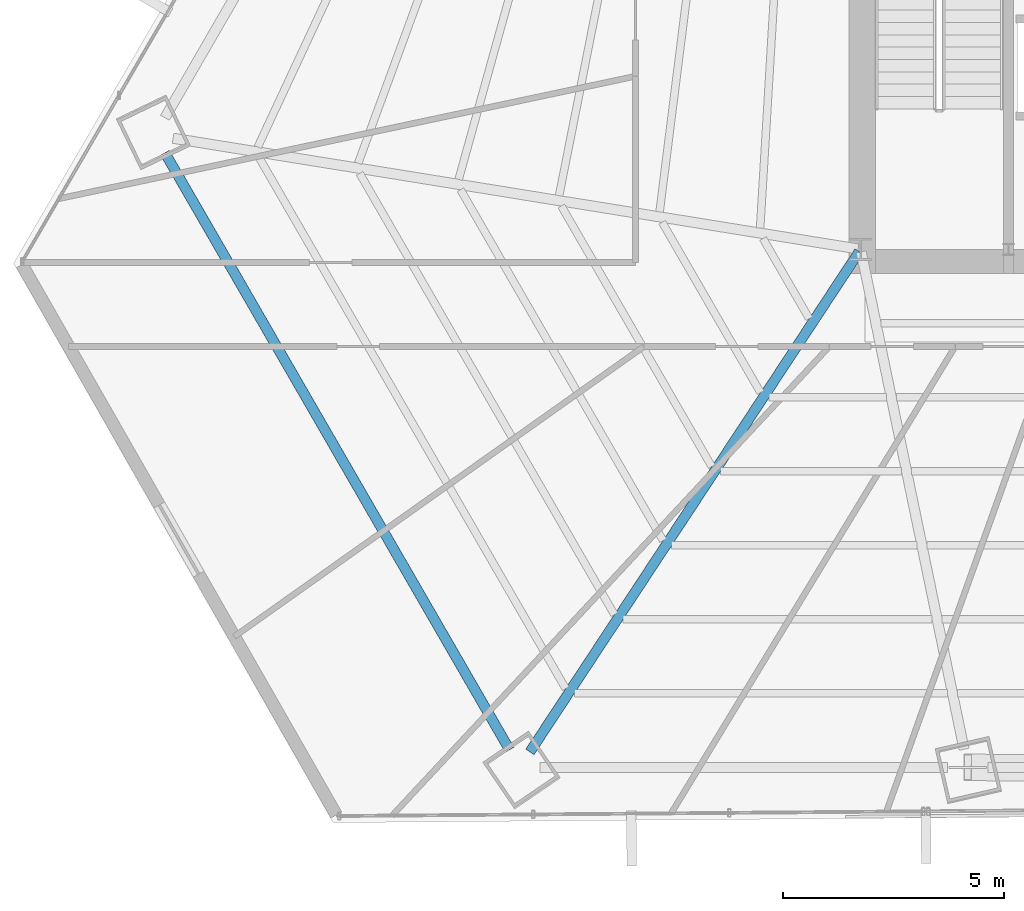
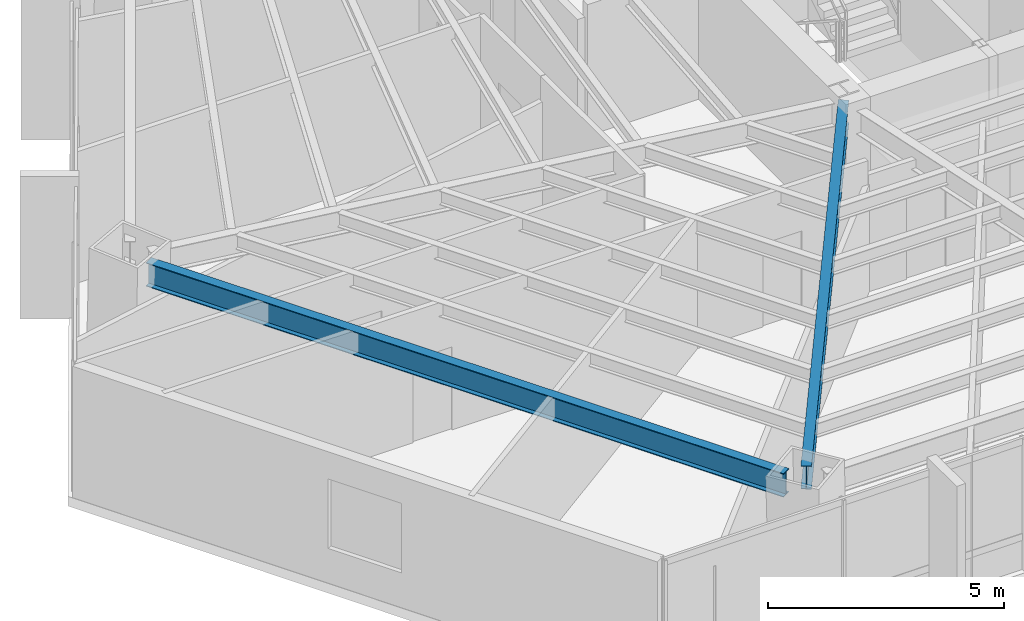
# One storey, part 5 of 38: 2 beams.
"""IFC4 building model written with IfcOpenShell, lengths in metres."""

from ifc_helpers import new_model, si_unit, direction, frame, origin, origin_2d, place, context, subcontext, project, spatial, i_section, extrude, source, transform, mapped, material, material_profile, profile_set, type_object, type_shapes, element, save


model = new_model("IFC4")

# Units and contexts
model_context = context("Model", 3, precision=1e-05, world=origin(), true_north=direction((0.0, 1.0)))
body_context = subcontext(model_context, "Body", "Model", "MODEL_VIEW")
ifc_project = project(units=[si_unit("LENGTHUNIT", "METRE"), si_unit("AREAUNIT", "SQUARE_METRE"), si_unit("VOLUMEUNIT", "CUBIC_METRE"), si_unit("PLANEANGLEUNIT", "RADIAN"), si_unit("MASSUNIT", "GRAM", prefix="KILO")], contexts=[model_context])

# Site, building, storey
site_placement = place(None, origin())
site = spatial("IfcSite", under=ifc_project, at=site_placement, CompositionType="ELEMENT")
building_placement = place(site_placement, origin())
building = spatial("IfcBuilding", under=site, at=building_placement, Name="Caelisora Broadcast Tower", CompositionType="ELEMENT")
storey_placement = place(building_placement, frame((0.0, 0.0, 67.75)))
storey = spatial("IfcBuildingStorey", under=building, at=storey_placement, Name="L17", CompositionType="ELEMENT", Elevation=67.75)

# Beams
ifc_material = material(Name="Steel Grade 350 (AS/NZS 3679.1)", Category="steel")
ifc_material_profile_1 = material_profile(ifc_material, i_section(OverallWidth=0.22900390625, OverallDepth=0.611572265625, WebThickness=0.011962890625, FlangeThickness=0.01953125, at=origin_2d()), Name="Steel Grade 350 (AS/NZS 3679.1)")
ifc_profile_set_1 = profile_set([ifc_material_profile_1], Name="Steel Grade 350 (AS/NZS 3679.1)")
beam_type_1 = type_object("IfcBeamType", Name="PG03", PredefinedType="BEAM", material=ifc_profile_set_1)
shared_shape_1 = source(origin(), body_context, "Body", "SweptSolid", [
    extrude(i_section(OverallWidth=0.22900390625, OverallDepth=0.611572265625, WebThickness=0.011962890625, FlangeThickness=0.01953125, at=origin_2d()), origin(), (0.0, 0.0, 1.0), 15.6103515625),
])
type_shapes(beam_type_1, [shared_shape_1])
beam_1_placement = place(storey_placement, frame((14.742431640625, 19.5849609375, 3.09423828125), z_axis=(0.499997726712, -0.866026716264, 0.0), x_axis=(0.866026716264, 0.499997726712, 0.0)))
element("IfcBeam", 1, at=beam_1_placement, inside=storey, type_object=beam_type_1, Name="L17 beam PG03", PredefinedType="BEAM", context=body_context, shape_type="MappedRepresentation", body=[
    mapped(shared_shape_1, transform((0.0, 0.0, 0.0), scale=1.0)),
])
ifc_material_profile_2 = material_profile(ifc_material, i_section(OverallWidth=0.22802734375, OverallDepth=0.602294921875, WebThickness=0.010498046875, FlangeThickness=0.014892578125, at=origin_2d()), Name="Steel Grade 350 (AS/NZS 3679.1)")
ifc_profile_set_2 = profile_set([ifc_material_profile_2], Name="Steel Grade 350 (AS/NZS 3679.1)")
beam_type_2 = type_object("IfcBeamType", Name="PG04", PredefinedType="BEAM", material=ifc_profile_set_2)
shared_shape_2 = source(origin(), body_context, "Body", "SweptSolid", [
    extrude(i_section(OverallWidth=0.22802734375, OverallDepth=0.602294921875, WebThickness=0.010498046875, FlangeThickness=0.014892578125, at=origin_2d()), origin(), (0.0, 0.0, 1.0), 13.56591796875),
])
type_shapes(beam_type_2, [shared_shape_2])
beam_2_placement = place(storey_placement, frame((30.467041015625, 17.349853515625, 3.098876953125), z_axis=(-0.549798281799, -0.835297461585, 0.0), x_axis=(0.835297461585, -0.549798281799, 0.0)))
element("IfcBeam", 2, at=beam_2_placement, inside=storey, type_object=beam_type_2, Name="L17 beam PG04", PredefinedType="BEAM", context=body_context, shape_type="MappedRepresentation", body=[
    mapped(shared_shape_2, transform((0.0, 0.0, 0.0), scale=1.0)),
])

save(model, "model.ifc")
